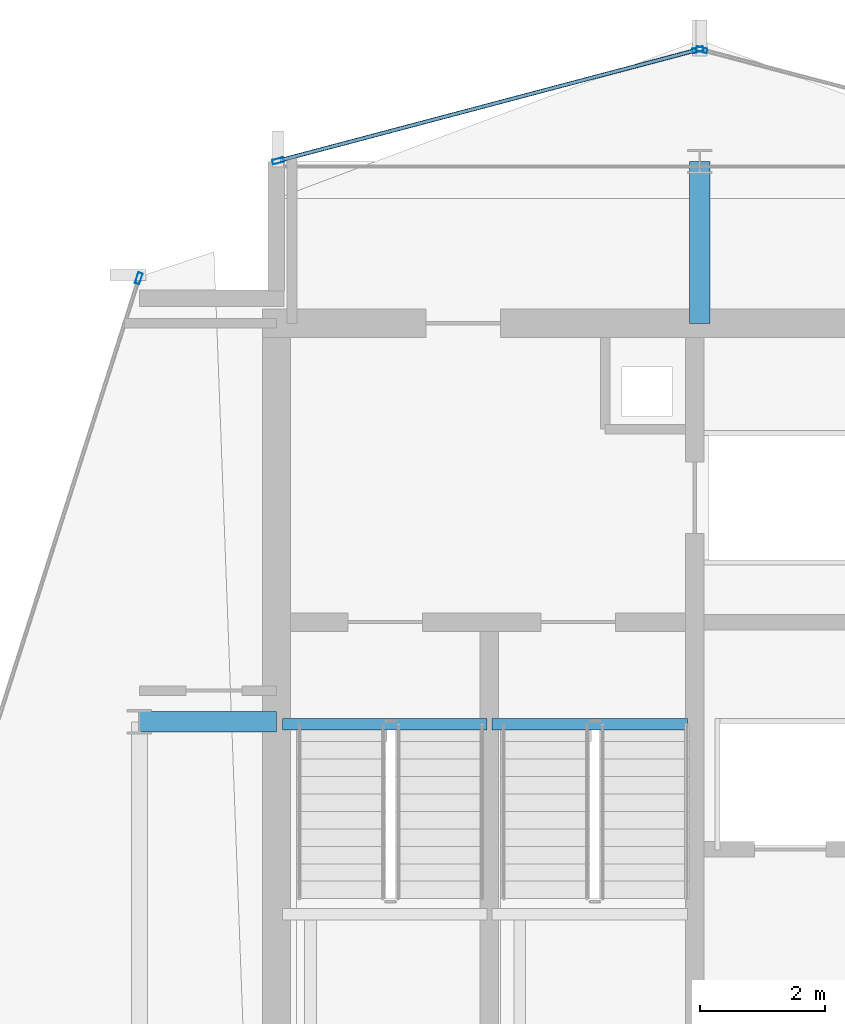
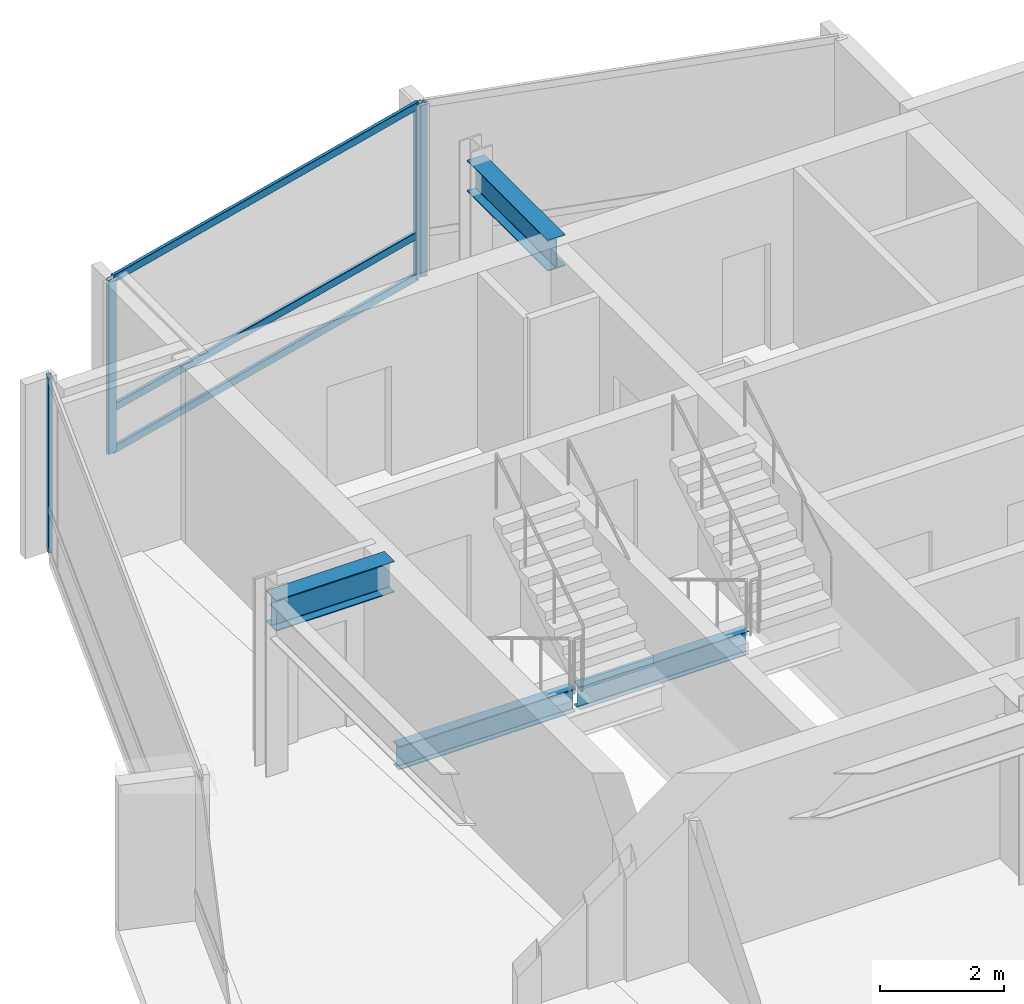
# One storey, part 11 of 19: 7 members, 4 beams, 3 elements without a shape of their own.
"""IFC4 building model written with IfcOpenShell, lengths in metres."""

from ifc_helpers import new_model, si_unit, direction, frame, origin, origin_2d, place, context, subcontext, project, spatial, hollow_rectangle, i_section, extrude, material, layer, layer_set, material_profile, profile_set, type_object, element, aggregate, save


model = new_model("IFC4")

# Units and contexts
model_context = context("Model", 3, precision=1e-05, world=origin(), true_north=direction((0.0, 1.0)))
body_context = subcontext(model_context, "Body", "Model", "MODEL_VIEW")
ifc_project = project(units=[si_unit("LENGTHUNIT", "METRE"), si_unit("AREAUNIT", "SQUARE_METRE"), si_unit("VOLUMEUNIT", "CUBIC_METRE"), si_unit("PLANEANGLEUNIT", "RADIAN"), si_unit("MASSUNIT", "GRAM", prefix="KILO")], contexts=[model_context])

# Site, building, storey
site_placement = place(None, origin())
site = spatial("IfcSite", under=ifc_project, at=site_placement, CompositionType="ELEMENT")
building_placement = place(site_placement, origin())
building = spatial("IfcBuilding", under=site, at=building_placement, Name="Solvaryn Broadcast Tower", CompositionType="ELEMENT")
storey_placement = place(building_placement, frame((0.0, 0.0, 263.0)))
storey = spatial("IfcBuildingStorey", under=building, at=storey_placement, Name="L66", CompositionType="ELEMENT", Elevation=263.0)

# Beams
ifc_material_1 = material(Name="Steel ASTM A992 Grade 50", Category="steel")
ifc_material_profile_1 = material_profile(ifc_material_1, i_section(OverallWidth=0.323974609375, OverallDepth=0.611083984375, WebThickness=0.0126953125, FlangeThickness=0.01904296875, FilletRadius=0.014892578125, at=origin_2d()))
ifc_profile_set_1 = profile_set([ifc_material_profile_1], Name="Steel ASTM A992 Grade 50")
beam_type_1 = type_object("IfcBeamType", Name="BM-B1-W24X104", PredefinedType="BEAM", material=ifc_profile_set_1)
beam_1_placement = place(storey_placement, frame((9.0, 36.0, 3.114501953125), z_axis=(1.0, 0.0, 0.0), x_axis=(0.0, 1.0, 0.0)))
element("IfcBeam", 1, at=beam_1_placement, inside=storey, type_object=beam_type_1, Name="L66 Core Tie Beam CTW1", PredefinedType="BEAM", context=body_context, shape_type="SweptSolid", body=[
    extrude(i_section(OverallWidth=0.323974609375, OverallDepth=0.611083984375, WebThickness=0.0126953125, FlangeThickness=0.01904296875, FilletRadius=0.014892578125, at=origin_2d()), origin(), (0.0, 0.0, 1.0), 2.199951171875),
])
beam_2_placement = place(storey_placement, frame((18.0, 42.39990234375, 3.114501953125), z_axis=(0.0, 1.0, 0.0), x_axis=(-1.0, 0.0, 0.0)))
element("IfcBeam", 2, at=beam_2_placement, inside=storey, type_object=beam_type_1, Name="L66 Core Tie Beam CTW3", PredefinedType="BEAM", context=body_context, shape_type="SweptSolid", body=[
    extrude(i_section(OverallWidth=0.323974609375, OverallDepth=0.611083984375, WebThickness=0.0126953125, FlangeThickness=0.01904296875, FilletRadius=0.014892578125, at=origin_2d()), origin(), (0.0, 0.0, 1.0), 2.60009765625),
])
ifc_material_2 = material(Name="Steel ASTM A992 Grade 50", Category="steel")
ifc_material_profile_2 = material_profile(ifc_material_2, i_section(OverallWidth=0.18994140625, OverallDepth=0.45703125, WebThickness=0.009033203125, FlangeThickness=0.014404296875, FilletRadius=0.011962890625, at=origin_2d()))
ifc_profile_set_2 = profile_set([ifc_material_profile_2], Name="Steel ASTM A992 Grade 50")
beam_type_2 = type_object("IfcBeamType", Name="BM-B4-W18X50", PredefinedType="BEAM", material=ifc_profile_set_2)
beam_3_placement = place(storey_placement, frame((11.300048828125, 35.9599609375, -0.508544921875), z_axis=(1.0, 0.0, 0.0), x_axis=(0.0, 1.0, 0.0)))
element("IfcBeam", 3, at=beam_3_placement, inside=storey, type_object=beam_type_2, Name="L66 ST1 Stair Well Trimmer Beam", PredefinedType="BEAM", context=body_context, shape_type="SweptSolid", body=[
    extrude(i_section(OverallWidth=0.18994140625, OverallDepth=0.45703125, WebThickness=0.009033203125, FlangeThickness=0.014404296875, FilletRadius=0.011962890625, at=origin_2d()), origin(), (0.0, 0.0, 1.0), 3.280029296875),
])
beam_4_placement = place(storey_placement, frame((14.659912109375, 35.9599609375, -0.508544921875), z_axis=(1.0, 0.0, 0.0), x_axis=(0.0, 1.0, 0.0)))
element("IfcBeam", 4, at=beam_4_placement, inside=storey, type_object=beam_type_2, Name="L66 ST2 Stair Well Trimmer Beam", PredefinedType="BEAM", context=body_context, shape_type="SweptSolid", body=[
    extrude(i_section(OverallWidth=0.18994140625, OverallDepth=0.45703125, WebThickness=0.009033203125, FlangeThickness=0.014404296875, FilletRadius=0.011962890625, at=origin_2d()), origin(), (0.0, 0.0, 1.0), 3.14013671875),
])

# Curtain wall, member
ifc_material_3 = material(Name="Aluminium and Terracotta Unitised Curtain Wall", Category="masonry")
ifc_layer = layer(ifc_material_3, 0.199951171875)
ifc_layer_set = layer_set([ifc_layer], Name="CW-SYS2-LOWMID")
curtain_wall_type = type_object("IfcCurtainWallType", Name="CW-SYS2-LOWMID", PredefinedType="NOTDEFINED", material=ifc_layer_set)
curtain_wall_1_placement = place(storey_placement, origin())
curtain_wall_1 = element("IfcCurtainWall", 5, at=curtain_wall_1_placement, inside=storey, type_object=curtain_wall_type, Name="L66 Curtain Wall DR1", PredefinedType="NOTDEFINED")
ifc_material_4 = material(Name="Anodised Aluminium 6063-T6", Category="aluminium")
ifc_material_profile_3 = material_profile(ifc_material_4, hollow_rectangle(XDim=0.074951171875, YDim=0.179931640625, WallThickness=0.00390625, InnerFilletRadius=0.00390625, OuterFilletRadius=0.008056640625, at=origin_2d()))
ifc_profile_set_3 = profile_set([ifc_material_profile_3], Name="Anodised Aluminium 6063-T6")
member_type_1 = type_object("IfcMemberType", Name="CW-MUL-180", PredefinedType="MULLION", material=ifc_profile_set_3)
member_1_placement = place(storey_placement, frame((8.990966796875, 43.120361328125, 0.0), z_axis=(0.0, 0.0, 1.0), x_axis=(0.952794594701, -0.30361564569, 0.0)))
member_1 = element("IfcMember", 6, at=member_1_placement, type_object=member_type_1, Name="CWS2 mullion 1", PredefinedType="MULLION", context=body_context, shape_type="SweptSolid", body=[
    extrude(hollow_rectangle(XDim=0.074951171875, YDim=0.179931640625, WallThickness=0.00390625, InnerFilletRadius=0.00390625, OuterFilletRadius=0.008056640625, at=origin_2d()), origin(), (0.0, 0.0, 1.0), 3.419921875),
])
aggregate(curtain_wall_1, [member_1])

curtain_wall_2_placement = place(storey_placement, origin())
curtain_wall_2 = element("IfcCurtainWall", 7, at=curtain_wall_2_placement, inside=storey, type_object=curtain_wall_type, Name="L66 Curtain Wall NT1", PredefinedType="NOTDEFINED")
member_2_placement = place(storey_placement, frame((18.029052734375, 46.792236328125, 0.0), z_axis=(0.0, 0.0, 1.0), x_axis=(-0.25589256031, -0.966705227863, 0.0)))
member_2 = element("IfcMember", 8, at=member_2_placement, type_object=member_type_1, Name="CWS2 mullion 2", PredefinedType="MULLION", context=body_context, shape_type="SweptSolid", body=[
    extrude(hollow_rectangle(XDim=0.074951171875, YDim=0.179931640625, WallThickness=0.00390625, InnerFilletRadius=0.00390625, OuterFilletRadius=0.008056640625, at=origin_2d()), origin(), (0.0, 0.0, 1.0), 3.419921875),
])
aggregate(curtain_wall_2, [member_2])

# Curtain wall, members
curtain_wall_3_placement = place(storey_placement, origin())
curtain_wall_3 = element("IfcCurtainWall", 9, at=curtain_wall_3_placement, inside=storey, type_object=curtain_wall_type, Name="L66 Curtain Wall NT2", PredefinedType="NOTDEFINED")
member_3_placement = place(storey_placement, frame((17.970947265625, 46.792236328125, 0.0), z_axis=(0.0, 0.0, 1.0), x_axis=(0.25589256031, -0.966705227863, 0.0)))
member_3 = element("IfcMember", 10, at=member_3_placement, type_object=member_type_1, Name="CWS2 mullion 1", PredefinedType="MULLION", context=body_context, shape_type="SweptSolid", body=[
    extrude(hollow_rectangle(XDim=0.074951171875, YDim=0.179931640625, WallThickness=0.00390625, InnerFilletRadius=0.00390625, OuterFilletRadius=0.008056640625, at=origin_2d()), origin(), (0.0, 0.0, 1.0), 3.419921875),
])
member_4_placement = place(storey_placement, frame((11.22900390625, 45.007568359375, 0.0), z_axis=(0.0, 0.0, 1.0), x_axis=(0.25589256031, -0.966705227863, 0.0)))
member_4 = element("IfcMember", 11, at=member_4_placement, type_object=member_type_1, Name="CWS2 mullion 2", PredefinedType="MULLION", context=body_context, shape_type="SweptSolid", body=[
    extrude(hollow_rectangle(XDim=0.074951171875, YDim=0.179931640625, WallThickness=0.00390625, InnerFilletRadius=0.00390625, OuterFilletRadius=0.008056640625, at=origin_2d()), origin(), (0.0, 0.0, 1.0), 3.419921875),
])
ifc_material_5 = material(Name="Anodised Aluminium 6063-T6", Category="aluminium")
ifc_material_profile_4 = material_profile(ifc_material_5, hollow_rectangle(XDim=0.06494140625, YDim=0.14990234375, WallThickness=0.00390625, InnerFilletRadius=0.00390625, OuterFilletRadius=0.008056640625, at=origin_2d()))
ifc_profile_set_4 = profile_set([ifc_material_profile_4], Name="Anodised Aluminium 6063-T6")
member_type_2 = type_object("IfcMemberType", Name="CW-TRN-150", PredefinedType="USERDEFINED", material=ifc_profile_set_4)
member_5_placement = place(storey_placement, frame((17.94189453125, 46.78466796875, 0.030029296875), z_axis=(-0.966703943301, -0.255897413051, 0.0), x_axis=(0.255897413051, -0.966703943301, 0.0)))
member_5 = element("IfcMember", 12, at=member_5_placement, type_object=member_type_2, Name="CWS2 transom 1.1", ObjectType="TRANSOM", PredefinedType="USERDEFINED", context=body_context, shape_type="SweptSolid", body=[
    extrude(hollow_rectangle(XDim=0.06494140625, YDim=0.14990234375, WallThickness=0.00390625, InnerFilletRadius=0.00390625, OuterFilletRadius=0.008056640625, at=origin_2d()), origin(), (0.0, 0.0, 1.0), 6.9140625),
])
member_6_placement = place(storey_placement, frame((17.94189453125, 46.78466796875, 0.85009765625), z_axis=(-0.966703943301, -0.255897413051, 0.0), x_axis=(0.255897413051, -0.966703943301, 0.0)))
member_6 = element("IfcMember", 13, at=member_6_placement, type_object=member_type_2, Name="CWS2 transom 1.2", ObjectType="TRANSOM", PredefinedType="USERDEFINED", context=body_context, shape_type="SweptSolid", body=[
    extrude(hollow_rectangle(XDim=0.06494140625, YDim=0.14990234375, WallThickness=0.00390625, InnerFilletRadius=0.00390625, OuterFilletRadius=0.008056640625, at=origin_2d()), origin(), (0.0, 0.0, 1.0), 6.9140625),
])
member_7_placement = place(storey_placement, frame((17.94189453125, 46.78466796875, 3.389892578125), z_axis=(-0.966703943301, -0.255897413051, 0.0), x_axis=(0.255897413051, -0.966703943301, 0.0)))
member_7 = element("IfcMember", 14, at=member_7_placement, type_object=member_type_2, Name="CWS2 transom 1.3", ObjectType="TRANSOM", PredefinedType="USERDEFINED", context=body_context, shape_type="SweptSolid", body=[
    extrude(hollow_rectangle(XDim=0.06494140625, YDim=0.14990234375, WallThickness=0.00390625, InnerFilletRadius=0.00390625, OuterFilletRadius=0.008056640625, at=origin_2d()), origin(), (0.0, 0.0, 1.0), 6.9140625),
])
aggregate(curtain_wall_3, [member_3, member_4, member_5, member_6, member_7])

save(model, "model.ifc")
